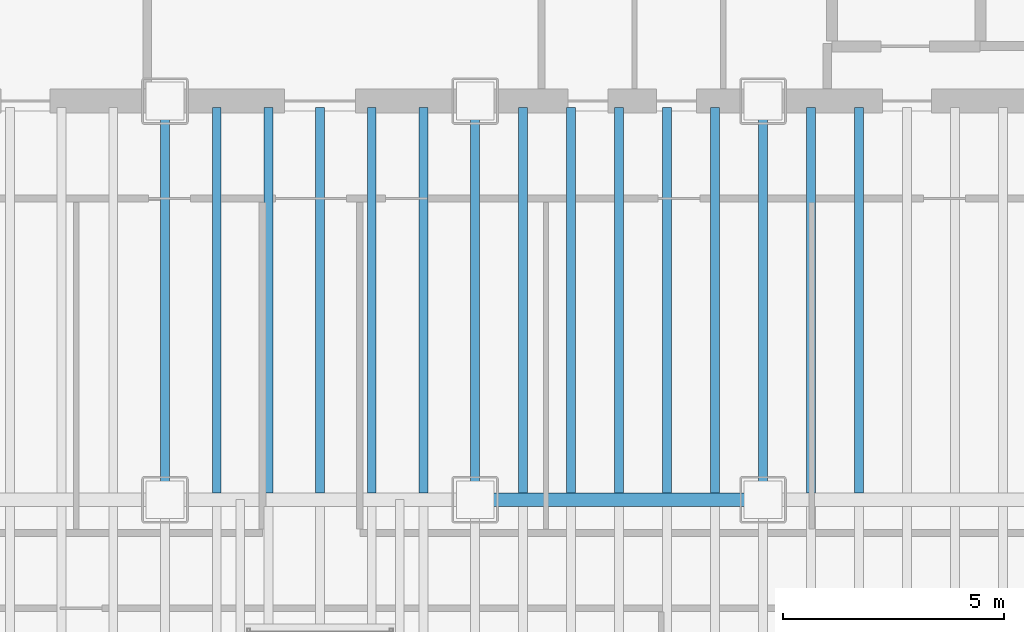
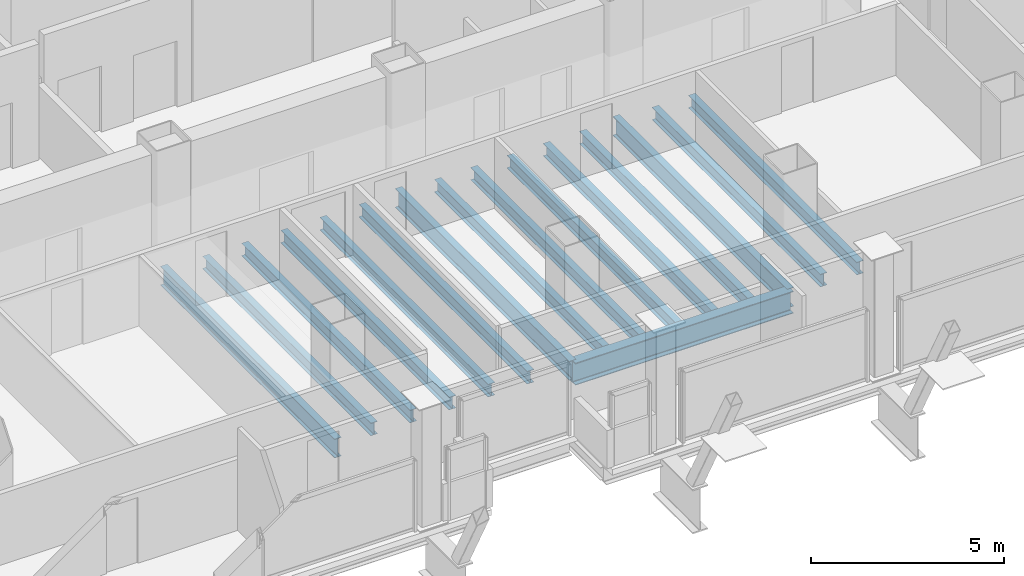
# One storey, part 5 of 21: 16 beams.
"""IFC4 building model written with IfcOpenShell, lengths in metres."""

from ifc_helpers import new_model, si_unit, direction, frame, origin, origin_2d, place, context, subcontext, project, spatial, i_section, extrude, material, material_profile, profile_set, type_object, element, save


model = new_model("IFC4")

# Units and contexts
model_context = context("Model", 3, precision=1e-05, world=origin(), true_north=direction((0.0, 1.0)))
body_context = subcontext(model_context, "Body", "Model", "MODEL_VIEW")
ifc_project = project(units=[si_unit("LENGTHUNIT", "METRE"), si_unit("AREAUNIT", "SQUARE_METRE"), si_unit("VOLUMEUNIT", "CUBIC_METRE"), si_unit("PLANEANGLEUNIT", "RADIAN"), si_unit("MASSUNIT", "GRAM", prefix="KILO")], contexts=[model_context])

# Site, building, storey
site_placement = place(None, origin())
site = spatial("IfcSite", under=ifc_project, at=site_placement, CompositionType="ELEMENT")
building_placement = place(site_placement, origin())
building = spatial("IfcBuilding", under=site, at=building_placement, Name="Noeulbin Bourse Tower", CompositionType="ELEMENT")
storey_placement = place(building_placement, frame((0.0, 0.0, 77.199951171875)))
storey = spatial("IfcBuildingStorey", under=building, at=storey_placement, Name="L19", CompositionType="ELEMENT", Elevation=77.199951171875)

# Beams
ifc_material = material(Name="Steel S355", Category="steel")
ifc_material_profile_1 = material_profile(ifc_material, i_section(OverallWidth=0.199951171875, OverallDepth=0.60009765625, WebThickness=0.010986328125, FlangeThickness=0.01708984375, FilletRadius=0.02197265625, at=origin_2d()), Name="H-600x200x11x17", Category="LoadBearing")
ifc_profile_set_1 = profile_set([ifc_material_profile_1], Name="Steel S355")
beam_type_1 = type_object("IfcBeamType", Name="BM-GRD-600", PredefinedType="USERDEFINED", material=ifc_profile_set_1)
for number, where, z_axis, x_axis, name in (
    (1, (24.0, 20.0, -0.47998046875), (0.0, 1.0, 0.0), (-1.0, 0.0, 0.0), "Tower Primary Girder NS L19-2.2"),
    (2, (31.0, 20.0, -0.47998046875), (0.0, 1.0, 0.0), (-1.0, 0.0, 0.0), "Tower Primary Girder NS L19-3.2"),
    (3, (37.5, 20.0, -0.47998046875), (0.0, 1.0, 0.0), (-1.0, 0.0, 0.0), "Tower Primary Girder NS L19-4.2"),
):
    element("IfcBeam", number, at=place(storey_placement, frame(where, z_axis=z_axis, x_axis=x_axis)), inside=storey, type_object=beam_type_1, Name=name, ObjectType="GIRDER", PredefinedType="USERDEFINED", context=body_context, shape_type="SweptSolid", body=[
        extrude(i_section(OverallWidth=0.199951171875, OverallDepth=0.60009765625, WebThickness=0.010986328125, FlangeThickness=0.01708984375, FilletRadius=0.02197265625, at=origin_2d()), origin(), (0.0, 0.0, 1.0), 9.0),
    ])
ifc_material_profile_2 = material_profile(ifc_material, i_section(OverallWidth=0.300048828125, OverallDepth=0.699951171875, WebThickness=0.012939453125, FlangeThickness=0.02392578125, FilletRadius=0.02392578125, at=origin_2d()), Name="H-700x300x13x24", Category="LoadBearing")
ifc_profile_set_2 = profile_set([ifc_material_profile_2], Name="Steel S355")
beam_type_2 = type_object("IfcBeamType", Name="BM-GRD-700", PredefinedType="USERDEFINED", material=ifc_profile_set_2)
beam_placement = place(storey_placement, frame((31.0, 20.0, -0.530029296875), z_axis=(1.0, 0.0, 0.0), x_axis=(0.0, 1.0, 0.0)))
element("IfcBeam", 4, at=beam_placement, inside=storey, type_object=beam_type_2, Name="Tower Primary Girder EW L19-1.4", ObjectType="GIRDER", PredefinedType="USERDEFINED", context=body_context, shape_type="SweptSolid", body=[
    extrude(i_section(OverallWidth=0.300048828125, OverallDepth=0.699951171875, WebThickness=0.012939453125, FlangeThickness=0.02392578125, FilletRadius=0.02392578125, at=origin_2d()), origin(), (0.0, 0.0, 1.0), 6.5),
])
ifc_material_profile_3 = material_profile(ifc_material, i_section(OverallWidth=0.199951171875, OverallDepth=0.39990234375, WebThickness=0.008056640625, FlangeThickness=0.012939453125, FilletRadius=0.01611328125, at=origin_2d()), Name="H-400x200x8x13", Category="LoadBearing")
ifc_profile_set_3 = profile_set([ifc_material_profile_3], Name="Steel S355")
beam_type_3 = type_object("IfcBeamType", Name="BM-SEC-400", PredefinedType="BEAM", material=ifc_profile_set_3)
for number, where, z_axis, x_axis, name in (
    (5, (25.166748046875, 20.14990234375, -0.3798828125), (0.0, 1.0, 0.0), (-1.0, 0.0, 0.0), "Tower Composite Joist L19-26"),
    (6, (26.333251953125, 20.14990234375, -0.3798828125), (0.0, 1.0, 0.0), (-1.0, 0.0, 0.0), "Tower Composite Joist L19-29"),
    (7, (27.5, 20.14990234375, -0.3798828125), (0.0, 1.0, 0.0), (-1.0, 0.0, 0.0), "Tower Composite Joist L19-32"),
    (8, (28.666748046875, 20.14990234375, -0.3798828125), (0.0, 1.0, 0.0), (-1.0, 0.0, 0.0), "Tower Composite Joist L19-35"),
    (9, (29.833251953125, 20.14990234375, -0.3798828125), (0.0, 1.0, 0.0), (-1.0, 0.0, 0.0), "Tower Composite Joist L19-38"),
    (10, (32.083251953125, 20.14990234375, -0.3798828125), (0.0, 1.0, 0.0), (-1.0, 0.0, 0.0), "Tower Composite Joist L19-41"),
    (11, (33.166748046875, 20.14990234375, -0.3798828125), (0.0, 1.0, 0.0), (-1.0, 0.0, 0.0), "Tower Composite Joist L19-44"),
    (12, (34.25, 20.14990234375, -0.3798828125), (0.0, 1.0, 0.0), (-1.0, 0.0, 0.0), "Tower Composite Joist L19-47"),
    (13, (35.333251953125, 20.14990234375, -0.3798828125), (0.0, 1.0, 0.0), (-1.0, 0.0, 0.0), "Tower Composite Joist L19-50"),
    (14, (36.416748046875, 20.14990234375, -0.3798828125), (0.0, 1.0, 0.0), (-1.0, 0.0, 0.0), "Tower Composite Joist L19-53"),
    (15, (38.583251953125, 20.14990234375, -0.3798828125), (0.0, 1.0, 0.0), (-1.0, 0.0, 0.0), "Tower Composite Joist L19-56"),
    (16, (39.666748046875, 20.14990234375, -0.3798828125), (0.0, 1.0, 0.0), (-1.0, 0.0, 0.0), "Tower Composite Joist L19-59"),
):
    element("IfcBeam", number, at=place(storey_placement, frame(where, z_axis=z_axis, x_axis=x_axis)), inside=storey, type_object=beam_type_3, Name=name, PredefinedType="BEAM", context=body_context, shape_type="SweptSolid", body=[
        extrude(i_section(OverallWidth=0.199951171875, OverallDepth=0.39990234375, WebThickness=0.008056640625, FlangeThickness=0.012939453125, FilletRadius=0.01611328125, at=origin_2d()), origin(), (0.0, 0.0, 1.0), 8.7001953125),
    ])

save(model, "model.ifc")
